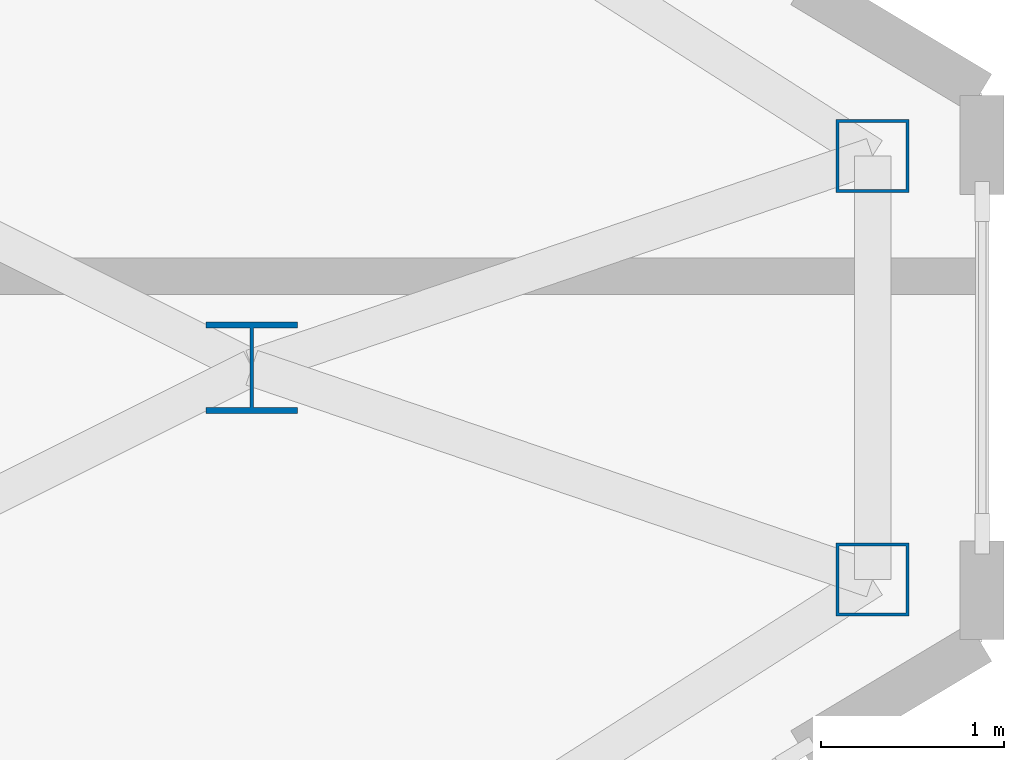
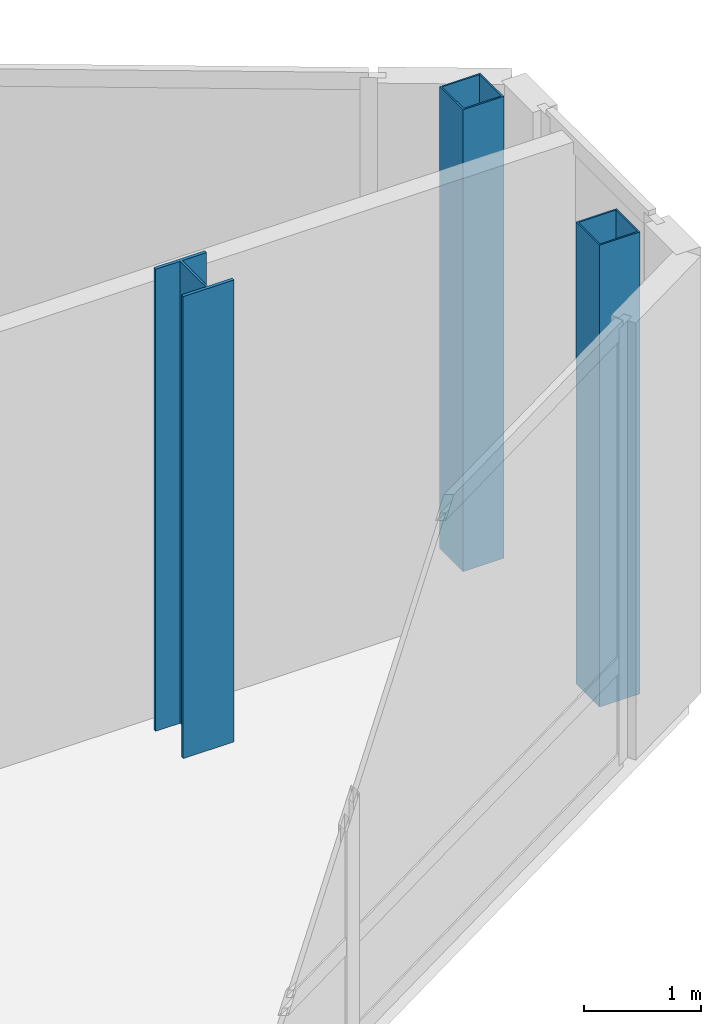
# One storey, part 7 of 29: 3 columns.
"""IFC4 building model written with IfcOpenShell, lengths in metres."""

import ifcopenshell
import ifcopenshell.guid

model = None  # the IFC model being written
_history = None  # IfcOwnerHistory: only IFC2X3 demands one
_inside = {}  # id of a spatial element -> (the spatial element, [elements in it])
_under = {}  # id of a project, library or spatial element -> (it, [spatial elements below it])
_declared = {}  # id of a project -> (the project, [libraries it declares])
_typed = {}  # id of a type object -> (the type object, [elements of that type])
_made_of = {}  # id of a material, layer set ... -> (it, [elements and type objects made of it])


def new_model(schema):
    """Start an empty IFC model of exactly this schema.

    Asked for "IFC4X3", IfcOpenShell would pick the latest addendum, in which some entities
    have other attributes; the version numbers below select the first issue.
    IFC2X3 requires an IfcOwnerHistory on every rooted entity: one is made here for all.
    """
    global model, _history
    if schema == "IFC4X3":
        model = ifcopenshell.file(schema_version=(4, 3, 0, 0))
    else:
        model = ifcopenshell.file(schema=schema)
    _inside.clear()
    _under.clear()
    _declared.clear()
    _typed.clear()
    _made_of.clear()
    _history = None
    if model.schema == "IFC2X3":
        org = make("IfcOrganization", Name="unknown")
        user = make(
            "IfcPersonAndOrganization",
            ThePerson=make("IfcPerson", FamilyName="unknown"),
            TheOrganization=org,
        )
        app = make(
            "IfcApplication",
            ApplicationDeveloper=org,
            Version="unknown",
            ApplicationFullName="unknown",
            ApplicationIdentifier="unknown",
        )
        _history = make(
            "IfcOwnerHistory",
            OwningUser=user,
            OwningApplication=app,
            ChangeAction="ADDED",
            CreationDate=0,
        )
    return model


def make(cls, **values):
    """One entity of the class cls with the attributes given. An attribute that is None is left unset."""
    return model.create_entity(
        cls, **{name: value for name, value in values.items() if value is not None}
    )


def rooted(cls, **values):
    """An entity with a GlobalId (a new one), such as an element, a storey or a relation."""
    return make(cls, GlobalId=ifcopenshell.guid.new(), OwnerHistory=_history, **values)


def si_unit(unit_type, name, prefix=None):
    """IfcSIUnit, for example si_unit("LENGTHUNIT", "METRE", prefix="MILLI")."""
    return make("IfcSIUnit", UnitType=unit_type, Prefix=prefix, Name=name)


def assignment(units):
    """IfcUnitAssignment: the units of a project."""
    return None if units is None else make("IfcUnitAssignment", Units=units)


def point(xyz):
    """IfcCartesianPoint."""
    return None if xyz is None else make("IfcCartesianPoint", Coordinates=xyz)


def direction(xyz):
    """IfcDirection."""
    return None if xyz is None else make("IfcDirection", DirectionRatios=xyz)


def frame(location, z_axis=None, x_axis=None):
    """IfcAxis2Placement3D, a coordinate frame: its origin and axes. An axis left out is left unset."""
    return make(
        "IfcAxis2Placement3D",
        Location=point(location),
        Axis=direction(z_axis),
        RefDirection=direction(x_axis),
    )


def frame_2d(location, x_axis=None):
    """IfcAxis2Placement2D, a coordinate frame in the plane: its origin and x axis."""
    return make(
        "IfcAxis2Placement2D", Location=point(location), RefDirection=direction(x_axis)
    )


def origin():
    """The frame at (0, 0, 0) with its axes left unset."""
    return frame((0.0, 0.0, 0.0))


def origin_2d():
    """The frame at (0, 0) in the plane with its x axis left unset."""
    return frame_2d((0.0, 0.0))


def place(relative_to, where):
    """IfcLocalPlacement: puts the frame where relative to a parent placement (None: the world)."""
    return make(
        "IfcLocalPlacement", PlacementRelTo=relative_to, RelativePlacement=where
    )


def context(
    kind, dimensions, precision=None, world=None, true_north=None, identifier=None
):
    """IfcGeometricRepresentationContext, for example the 3D "Model" context."""
    return make(
        "IfcGeometricRepresentationContext",
        ContextIdentifier=identifier,
        ContextType=kind,
        CoordinateSpaceDimension=dimensions,
        Precision=precision,
        WorldCoordinateSystem=world,
        TrueNorth=true_north,
    )


def subcontext(parent, identifier, kind, view, scale=None):
    """IfcGeometricRepresentationSubContext, for example "Body" below "Model"."""
    return make(
        "IfcGeometricRepresentationSubContext",
        ContextIdentifier=identifier,
        ContextType=kind,
        ParentContext=parent,
        TargetScale=scale,
        TargetView=view,
    )


def project(units=None, contexts=None):
    """IfcProject with its units and contexts."""
    return rooted(
        "IfcProject",
        Name="project",
        RepresentationContexts=contexts,
        UnitsInContext=assignment(units),
    )


def spatial(cls, under=None, at=None, **own):
    """A site, building, storey or space (cls), placed at a placement, below another one or the project."""
    s = rooted(cls, ObjectPlacement=at, **own)
    if under is not None:
        _under.setdefault(under.id(), (under, []))[1].append(s)
    return s


def profile(cls, at=None, kind="AREA", **sizes):
    """A parametric profile (cls). Its sizes go by their IFC names, for example OverallWidth=200.0."""
    return make(cls, ProfileType=kind, Position=at, **sizes)


def hollow_rectangle(**sizes):
    """IfcRectangleHollowProfileDef."""
    return profile("IfcRectangleHollowProfileDef", **sizes)


def i_section(**sizes):
    """IfcIShapeProfileDef."""
    return profile("IfcIShapeProfileDef", **sizes)


def extrude(swept, where, along, depth):
    """IfcExtrudedAreaSolid: the profile swept, set in the frame where, extruded along a direction by depth."""
    return make(
        "IfcExtrudedAreaSolid",
        SweptArea=swept,
        Position=where,
        ExtrudedDirection=direction(along),
        Depth=depth,
    )


def shape(context_of_items, identifier, shape_type, items):
    """IfcShapeRepresentation: the items that make up one representation, for example the "Body"."""
    return make(
        "IfcShapeRepresentation",
        ContextOfItems=context_of_items,
        RepresentationIdentifier=identifier,
        RepresentationType=shape_type,
        Items=items,
    )


def source(mapping_origin, context_of_items, identifier, shape_type, items):
    """IfcRepresentationMap: a shape defined once, which mapped items show again and again."""
    return make(
        "IfcRepresentationMap",
        MappingOrigin=mapping_origin,
        MappedRepresentation=shape(context_of_items, identifier, shape_type, items),
    )


def transform(
    local_origin,
    x_axis=None,
    y_axis=None,
    z_axis=None,
    scale=None,
    scale2=None,
    scale3=None,
    uniform=True,
):
    """IfcCartesianTransformationOperator3D, or its non-uniform kind. x_axis, y_axis, z_axis: its Axis1, 2, 3."""
    if uniform:
        return make(
            "IfcCartesianTransformationOperator3D",
            Axis1=direction(x_axis),
            Axis2=direction(y_axis),
            LocalOrigin=point(local_origin),
            Scale=scale,
            Axis3=direction(z_axis),
        )
    return make(
        "IfcCartesianTransformationOperator3DnonUniform",
        Axis1=direction(x_axis),
        Axis2=direction(y_axis),
        LocalOrigin=point(local_origin),
        Scale=scale,
        Axis3=direction(z_axis),
        Scale2=scale2,
        Scale3=scale3,
    )


def mapped(mapping_source, mapping_target):
    """IfcMappedItem: shows the shape of a source again, moved by a transform."""
    return make(
        "IfcMappedItem", MappingSource=mapping_source, MappingTarget=mapping_target
    )


def material(Name=None, Category=None):
    """IfcMaterial."""
    return make("IfcMaterial", Name=Name, Category=Category)


def material_profile(
    of_material, cross_section, Name=None, Category=None, Priority=None
):
    """IfcMaterialProfile: a cross section and its material."""
    return make(
        "IfcMaterialProfile",
        Name=Name,
        Material=of_material,
        Profile=cross_section,
        Priority=Priority,
        Category=Category,
    )


def profile_set(profiles, Name=None, composite=None):
    """IfcMaterialProfileSet."""
    return make(
        "IfcMaterialProfileSet",
        Name=Name,
        MaterialProfiles=profiles,
        CompositeProfile=composite,
    )


def made_of(thing, what):
    """Note that an element or type object is made of a material, layer set ...; save() writes the relation."""
    if what is not None:
        _made_of.setdefault(what.id(), (what, []))[1].append(thing)
    return thing


def type_object(cls, material=None, **own):
    """A type object (cls), such as IfcWallType, which elements share."""
    return made_of(rooted(cls, **own), material)


def type_shapes(of_type, sources):
    """Give a type object the sources (RepresentationMaps) that its elements show as mapped items."""
    of_type.RepresentationMaps = sources


def element(
    cls,
    number,
    at=None,
    inside=None,
    cuts=None,
    type_object=None,
    material=None,
    context=None,
    identifier="Body",
    shape_type=None,
    held_by="IfcProductDefinitionShape",
    body=None,
    shapes=None,
    **own,
):
    """One element of the class cls, such as IfcWall. Its Tag is "e" and its number.

    at: its placement. inside: the storey or other place that contains it. cuts: it is an
    opening in that element (IfcRelVoidsElement). A single representation is given by context,
    identifier, shape_type and body (its items); several are given by shapes. held_by: the class
    of the entity that holds the representations. save() writes the other relations.
    """
    e = rooted(cls, Tag="e%d" % number, ObjectPlacement=at, **own)
    if body is not None:
        shapes = [shape(context, identifier, shape_type, body)]
    if shapes is not None:
        e.Representation = make(held_by, Representations=shapes)
    if inside is not None:
        _inside.setdefault(inside.id(), (inside, []))[1].append(e)
    if cuts is not None:
        rooted(
            "IfcRelVoidsElement", RelatingBuildingElement=cuts, RelatedOpeningElement=e
        )
    if type_object is not None:
        _typed.setdefault(type_object.id(), (type_object, []))[1].append(e)
    return made_of(e, material)


def aggregate(whole, parts):
    """IfcRelAggregates: a whole, such as a stair, and the parts it consists of."""
    return rooted("IfcRelAggregates", RelatingObject=whole, RelatedObjects=parts)


def save(model, path):
    """Write the relations noted so far, then the file.

    IfcRelAggregates (storeys below a building ...), IfcRelContainedInSpatialStructure (elements
    in a storey), IfcRelDefinesByType, IfcRelAssociatesMaterial and IfcRelDeclares: one each for
    every whole, place, type object, material and project.
    """
    for whole, parts in _under.values():
        aggregate(whole, parts)
    for where, things in _inside.values():
        rooted(
            "IfcRelContainedInSpatialStructure",
            RelatedElements=things,
            RelatingStructure=where,
        )
    for kind, things in _typed.values():
        rooted("IfcRelDefinesByType", RelatedObjects=things, RelatingType=kind)
    for what, things in _made_of.values():
        rooted("IfcRelAssociatesMaterial", RelatedObjects=things, RelatingMaterial=what)
    for by, libraries in _declared.values():
        rooted("IfcRelDeclares", RelatingContext=by, RelatedDefinitions=libraries)
    model.write(path)


model = new_model("IFC4")

# Units and contexts
model_context = context("Model", 3, precision=1e-05, world=origin(), true_north=direction((0.0, 1.0)))
body_context = subcontext(model_context, "Body", "Model", "MODEL_VIEW")
ifc_project = project(units=[si_unit("LENGTHUNIT", "METRE"), si_unit("AREAUNIT", "SQUARE_METRE"), si_unit("VOLUMEUNIT", "CUBIC_METRE"), si_unit("PLANEANGLEUNIT", "RADIAN"), si_unit("MASSUNIT", "GRAM", prefix="KILO")], contexts=[model_context])

# Site, building, storey
site_placement = place(None, origin())
site = spatial("IfcSite", under=ifc_project, at=site_placement, CompositionType="ELEMENT")
building_placement = place(site_placement, origin())
building = spatial("IfcBuilding", under=site, at=building_placement, Name="Seokmaru Belvedere", CompositionType="ELEMENT")
storey_placement = place(building_placement, frame((0.0, 0.0, 229.800048828125)))
storey = spatial("IfcBuildingStorey", under=building, at=storey_placement, Name="L61", CompositionType="ELEMENT", Elevation=229.800048828125)

# Columns
ifc_material = material(Name="Steel SM355 (355 MPa)", Category="steel")
ifc_material_profile_1 = material_profile(ifc_material, i_section(OverallWidth=0.5, OverallDepth=0.5, WebThickness=0.02001953125, FlangeThickness=0.031982421875, at=origin_2d()), Name="H-500x500x20x32")
ifc_profile_set_1 = profile_set([ifc_material_profile_1], Name="Steel SM355 (355 MPa)")
column_type_1 = type_object("IfcColumnType", Name="High-Rise Interior Column H-500", PredefinedType="COLUMN", material=ifc_profile_set_1)
shared_shape_1 = source(origin(), body_context, "Body", "SweptSolid", [
    extrude(i_section(OverallWidth=0.5, OverallDepth=0.5, WebThickness=0.02001953125, FlangeThickness=0.031982421875, at=origin_2d()), origin(), (0.0, 0.0, 1.0), 4.800048828125),
])
type_shapes(column_type_1, [shared_shape_1])
column_placement = place(storey_placement, frame((63.5, 0.0, 0.0), z_axis=(0.0, 0.0, 1.0), x_axis=(1.0, 0.0, 0.0)))
element("IfcColumn", 1, at=column_placement, inside=storey, type_object=column_type_1, Name="L61 Column EG3P_1", PredefinedType="COLUMN", context=body_context, shape_type="MappedRepresentation", body=[
    mapped(shared_shape_1, transform((0.0, 0.0, 0.0), scale=1.0)),
])
ifc_material_profile_2 = material_profile(ifc_material, hollow_rectangle(XDim=0.39990234375, YDim=0.39990234375, WallThickness=0.01611328125, at=origin_2d()), Name="HSS-400x400x16")
ifc_profile_set_2 = profile_set([ifc_material_profile_2], Name="Steel SM355 (355 MPa)")
column_type_2 = type_object("IfcColumnType", Name="Perimeter Facet Column HSS-400", PredefinedType="COLUMN", material=ifc_profile_set_2)
shared_shape_2 = source(origin(), body_context, "Body", "SweptSolid", [
    extrude(hollow_rectangle(XDim=0.39990234375, YDim=0.39990234375, WallThickness=0.01611328125, at=origin_2d()), origin(), (0.0, 0.0, 1.0), 4.800048828125),
])
type_shapes(column_type_2, [shared_shape_2])
for number, where, z_axis, x_axis, name in (
    (2, (66.89990234375, -1.160400390625, 0.0), (0.0, 0.0, 1.0), (1.0, 0.0, 0.0), "L61 Column EF2"),
    (3, (66.89990234375, 1.160400390625, 0.0), (0.0, 0.0, 1.0), (1.0, 0.0, 0.0), "L61 Column EF3"),
):
    element("IfcColumn", number, at=place(storey_placement, frame(where, z_axis=z_axis, x_axis=x_axis)), inside=storey, type_object=column_type_2, Name=name, PredefinedType="COLUMN", context=body_context, shape_type="MappedRepresentation", body=[
        mapped(shared_shape_2, transform((0.0, 0.0, 0.0), scale=1.0)),
    ])

save(model, "model.ifc")
